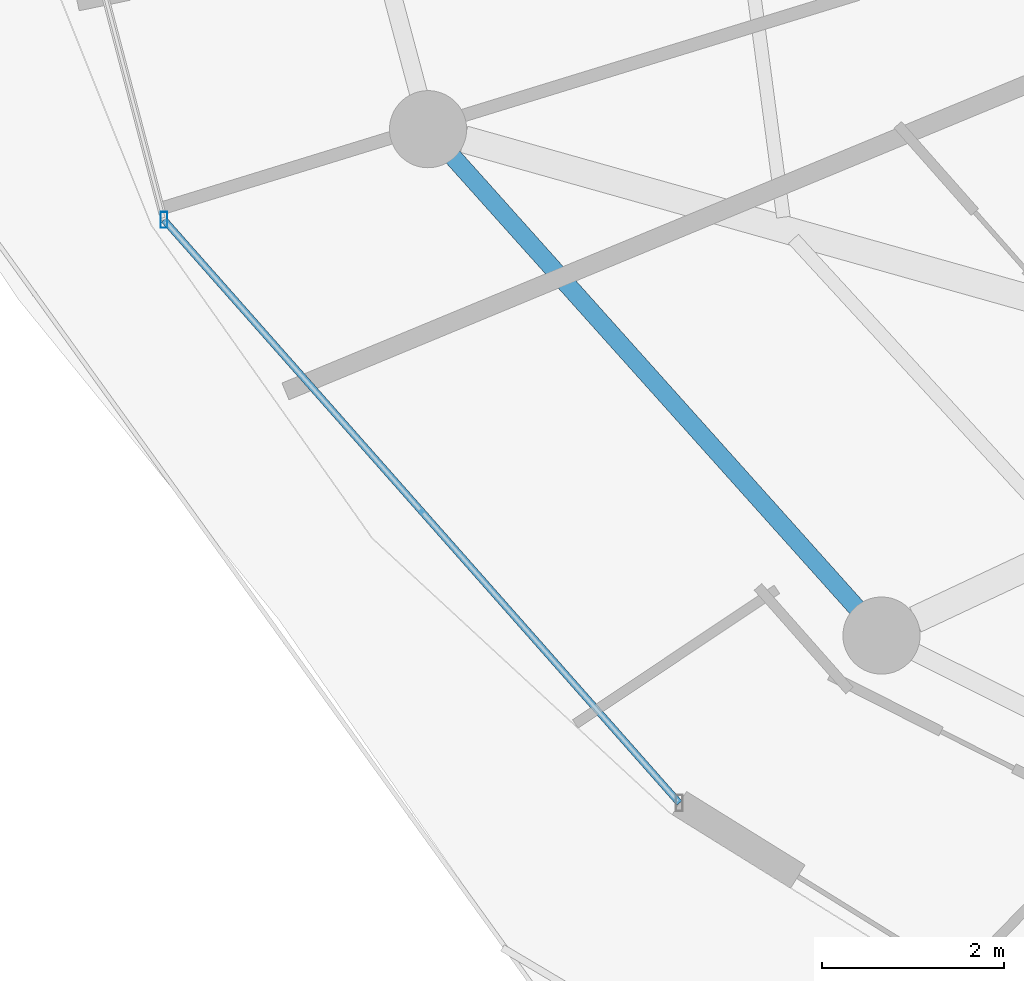
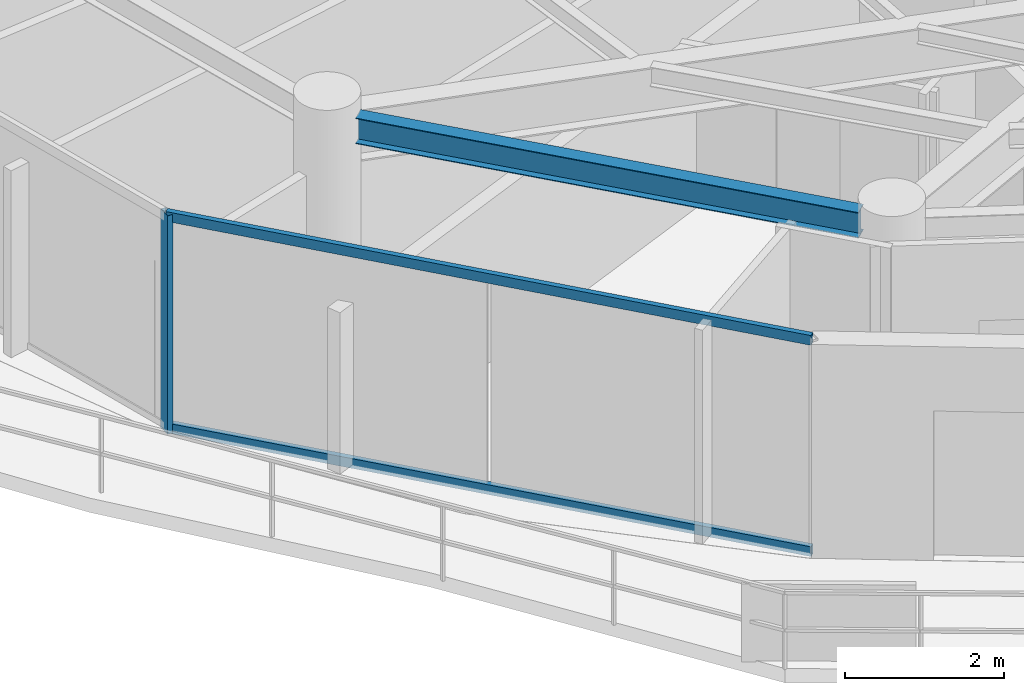
# One storey, part 3 of 31: 3 members, 1 beam, 1 element without a shape of its own.
"""IFC4 building model written with IfcOpenShell, lengths in metres."""

from ifc_helpers import new_model, si_unit, direction, frame, origin, origin_2d, place, context, subcontext, project, spatial, hollow_rectangle, i_section, extrude, material, material_profile, profile_set, type_object, element, aggregate, save


model = new_model("IFC4")

# Units and contexts
model_context = context("Model", 3, precision=1e-05, world=origin(), true_north=direction((0.0, 1.0)))
body_context = subcontext(model_context, "Body", "Model", "MODEL_VIEW")
ifc_project = project(units=[si_unit("LENGTHUNIT", "METRE"), si_unit("AREAUNIT", "SQUARE_METRE"), si_unit("VOLUMEUNIT", "CUBIC_METRE"), si_unit("PLANEANGLEUNIT", "RADIAN"), si_unit("MASSUNIT", "GRAM", prefix="KILO")], contexts=[model_context])

# Site, building, storey
site_placement = place(None, origin())
site = spatial("IfcSite", under=ifc_project, at=site_placement, CompositionType="ELEMENT")
building_placement = place(site_placement, origin())
building = spatial("IfcBuilding", under=site, at=building_placement, Name="Vorneva Point Tower", CompositionType="ELEMENT")
storey_placement = place(building_placement, frame((0.0, 0.0, 244.89990234375)))
storey = spatial("IfcBuildingStorey", under=building, at=storey_placement, Name="L66", CompositionType="ELEMENT", Elevation=244.89990234375)

# Beam
ifc_material_1 = material(Name="Steel S355", Category="steel")
ifc_material_profile_1 = material_profile(ifc_material_1, i_section(OverallWidth=0.198974609375, OverallDepth=0.39599609375, WebThickness=0.007080078125, FlangeThickness=0.010986328125, at=origin_2d()), Name="40B1")
ifc_profile_set_1 = profile_set([ifc_material_profile_1], Name="Steel S355")
beam_type = type_object("IfcBeamType", Name="BM-SPN-40B1", PredefinedType="SPANDREL", material=ifc_profile_set_1)
beam_placement = place(storey_placement, frame((16.97802734375, 19.1123046875, 3.092041015625), z_axis=(0.667108282638, -0.744960763554, 0.0), x_axis=(0.744960763554, 0.667108282638, 0.0)))
element("IfcBeam", 1, at=beam_placement, inside=storey, type_object=beam_type, Name="L66 Perimeter Spandrel Ring Beam 10", PredefinedType="SPANDREL", context=body_context, shape_type="SweptSolid", body=[
    extrude(i_section(OverallWidth=0.198974609375, OverallDepth=0.39599609375, WebThickness=0.007080078125, FlangeThickness=0.010986328125, at=origin_2d()), origin(), (0.0, 0.0, 1.0), 6.670166015625),
])

# Curtain wall, members
ifc_material_2 = material(Name="Pale anodised aluminium", Category="aluminium")
curtain_wall_type = type_object("IfcCurtainWallType", Name="CW-RES-SYS", PredefinedType="NOTDEFINED", material=ifc_material_2)
curtain_wall_placement = place(storey_placement, origin())
curtain_wall = element("IfcCurtainWall", 2, at=curtain_wall_placement, inside=storey, type_object=curtain_wall_type, Name="L66 Unitised Curtain Wall CW-L66-R03", PredefinedType="NOTDEFINED")
ifc_material_profile_2 = material_profile(ifc_material_2, hollow_rectangle(XDim=0.074951171875, YDim=0.179931640625, WallThickness=0.00390625, at=origin_2d()), Name="AL-MUL 180x75x4")
ifc_profile_set_2 = profile_set([ifc_material_profile_2], Name="Pale anodised aluminium")
member_type_1 = type_object("IfcMemberType", Name="CW-MUL-180", PredefinedType="MULLION", material=ifc_profile_set_2)
member_1_placement = place(storey_placement, frame((13.79443359375, 18.4189453125, -0.039794921875), z_axis=(0.0, 0.0, 1.0), x_axis=(1.0, 0.0, 0.0)))
member_1 = element("IfcMember", 3, at=member_1_placement, type_object=member_type_1, Name="CW-L66-R03 Mullion 04", PredefinedType="MULLION", context=body_context, shape_type="SweptSolid", body=[
    extrude(hollow_rectangle(XDim=0.074951171875, YDim=0.179931640625, WallThickness=0.00390625, at=origin_2d()), origin(), (0.0, 0.0, 1.0), 3.35986328125),
])
ifc_material_profile_3 = material_profile(ifc_material_2, hollow_rectangle(XDim=0.074951171875, YDim=0.14990234375, WallThickness=0.00390625, at=origin_2d()), Name="AL-TRN 150x75x4")
ifc_profile_set_3 = profile_set([ifc_material_profile_3], Name="Pale anodised aluminium")
member_type_2 = type_object("IfcMemberType", Name="CW-TRN-150", PredefinedType="USERDEFINED", material=ifc_profile_set_3)
member_2_placement = place(storey_placement, frame((13.79443359375, 18.4189453125, 0.02001953125), z_axis=(0.662196681357, -0.74933007093, 0.0), x_axis=(0.74933007093, 0.662196681357, 0.0)))
member_2 = element("IfcMember", 4, at=member_2_placement, type_object=member_type_2, Name="CW-L66-R03 Transom 04.1", ObjectType="TRANSOM", PredefinedType="USERDEFINED", context=body_context, shape_type="SweptSolid", body=[
    extrude(hollow_rectangle(XDim=0.074951171875, YDim=0.14990234375, WallThickness=0.00390625, at=origin_2d()), origin(), (0.0, 0.0, 1.0), 8.57666015625),
])
member_3_placement = place(storey_placement, frame((13.79443359375, 18.4189453125, 3.27001953125), z_axis=(0.662196681357, -0.74933007093, 0.0), x_axis=(0.74933007093, 0.662196681357, 0.0)))
member_3 = element("IfcMember", 5, at=member_3_placement, type_object=member_type_2, Name="CW-L66-R03 Transom 04.2", ObjectType="TRANSOM", PredefinedType="USERDEFINED", context=body_context, shape_type="SweptSolid", body=[
    extrude(hollow_rectangle(XDim=0.074951171875, YDim=0.14990234375, WallThickness=0.00390625, at=origin_2d()), origin(), (0.0, 0.0, 1.0), 8.57666015625),
])
aggregate(curtain_wall, [member_1, member_2, member_3])

save(model, "model.ifc")
